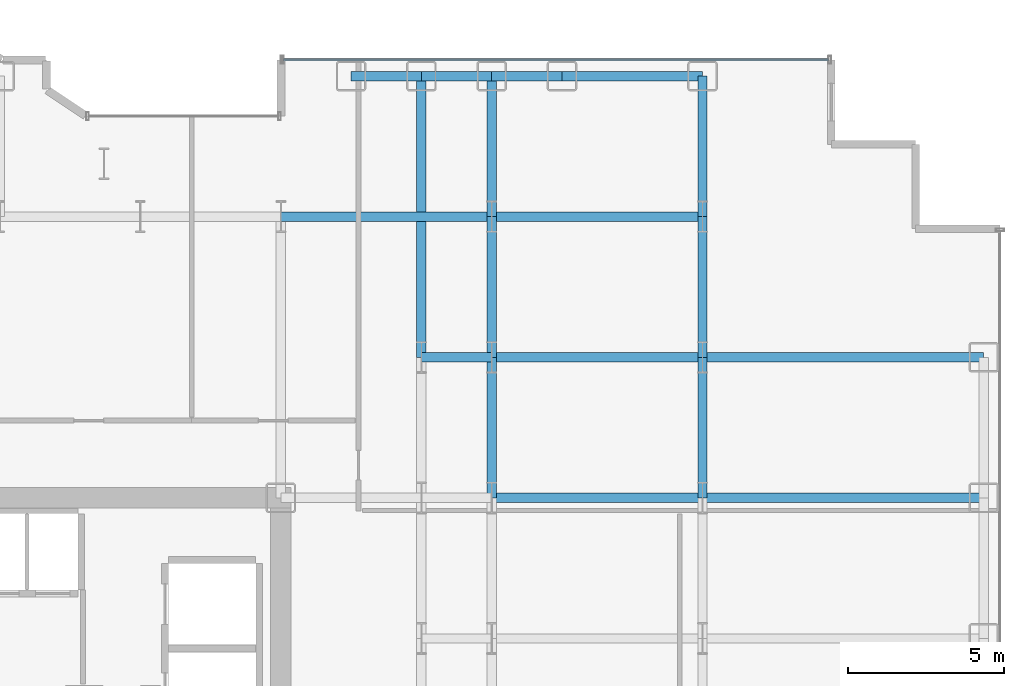
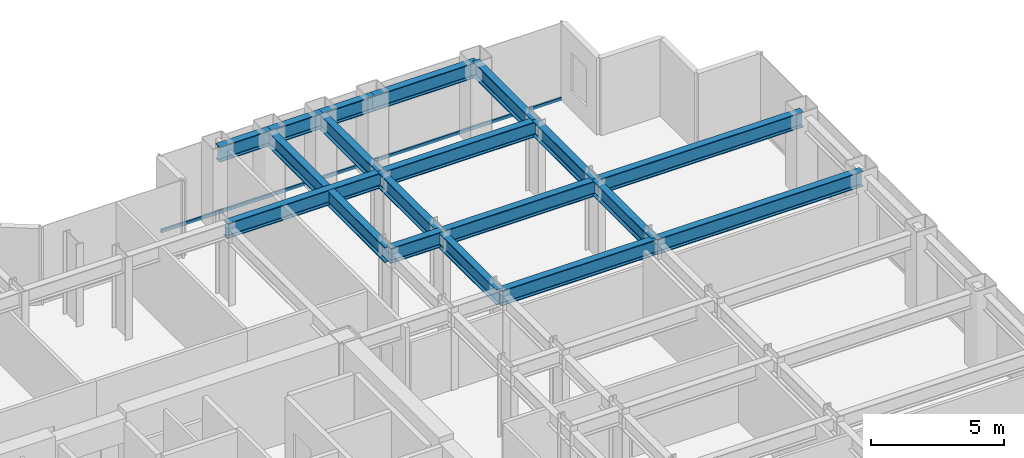
# One storey, part 13 of 25: 18 beams, 1 member, 1 element without a shape of its own.
"""IFC4 building model written with IfcOpenShell, lengths in metres."""

from ifc_helpers import new_model, si_unit, direction, frame, origin, origin_2d, place, context, subcontext, project, spatial, hollow_rectangle, i_section, extrude, source, transform, mapped, material, layer, layer_set, material_profile, profile_set, type_object, element, aggregate, save


model = new_model("IFC4")

# Units and contexts
model_context = context("Model", 3, precision=1e-05, world=origin(), true_north=direction((0.0, 1.0)))
body_context = subcontext(model_context, "Body", "Model", "MODEL_VIEW")
ifc_project = project(units=[si_unit("LENGTHUNIT", "METRE"), si_unit("AREAUNIT", "SQUARE_METRE"), si_unit("VOLUMEUNIT", "CUBIC_METRE"), si_unit("PLANEANGLEUNIT", "RADIAN"), si_unit("MASSUNIT", "GRAM", prefix="KILO")], contexts=[model_context])

# Site, building, storey
site_placement = place(None, origin())
site = spatial("IfcSite", under=ifc_project, at=site_placement, CompositionType="ELEMENT")
building_placement = place(site_placement, origin())
building = spatial("IfcBuilding", under=site, at=building_placement, Name="Nefas-Gora Pilgrimage Tower", CompositionType="ELEMENT")
storey_placement = place(building_placement, frame((0.0, 0.0, 71.0)))
storey = spatial("IfcBuildingStorey", under=building, at=storey_placement, Name="L16", CompositionType="ELEMENT", Elevation=71.0)

# Beams
ifc_material_1 = material(Name="Steel S355", Category="steel")
ifc_material_profile_1 = material_profile(ifc_material_1, i_section(OverallWidth=0.300048828125, OverallDepth=0.699951171875, WebThickness=0.01708984375, FlangeThickness=0.031982421875, FilletRadius=0.027099609375, at=origin_2d()), Name="HEB 700")
ifc_profile_set_1 = profile_set([ifc_material_profile_1], Name="Steel S355")
beam_type_1 = type_object("IfcBeamType", Name="BM-SPN-HEB600", PredefinedType="SPANDREL", material=ifc_profile_set_1)
shared_shape_1 = source(origin(), body_context, "Body", "SweptSolid", [
    extrude(i_section(OverallWidth=0.300048828125, OverallDepth=0.699951171875, WebThickness=0.01708984375, FlangeThickness=0.031982421875, FilletRadius=0.027099609375, at=origin_2d()), origin(), (0.0, 0.0, 1.0), 4.5),
])
beam_1_placement = place(storey_placement, frame((20.25, 22.5, 3.199951171875), z_axis=(1.0, 0.0, 0.0), x_axis=(0.0, 1.0, 0.0)))
element("IfcBeam", 1, at=beam_1_placement, inside=storey, type_object=beam_type_1, Name="L16 SP-01 beam", PredefinedType="SPANDREL", context=body_context, shape_type="MappedRepresentation", body=[
    mapped(shared_shape_1, transform((0.0, 0.0, 0.0), x_axis=(1.0, 0.0, 0.0), y_axis=(0.0, 1.0, 0.0), z_axis=(0.0, 0.0, 1.0), scale=1.0)),
])
ifc_material_profile_2 = material_profile(ifc_material_1, i_section(OverallWidth=0.300048828125, OverallDepth=0.699951171875, WebThickness=0.01708984375, FlangeThickness=0.031982421875, FilletRadius=0.027099609375, at=origin_2d()), Name="HEB 700")
ifc_profile_set_2 = profile_set([ifc_material_profile_2], Name="Steel S355")
beam_type_2 = type_object("IfcBeamType", Name="BM-GIR-HEB700", PredefinedType="BEAM", material=ifc_profile_set_2)
shared_shape_2 = source(origin(), body_context, "Body", "SweptSolid", [
    extrude(i_section(OverallWidth=0.300048828125, OverallDepth=0.699951171875, WebThickness=0.01708984375, FlangeThickness=0.031982421875, FilletRadius=0.027099609375, at=origin_2d()), origin(), (0.0, 0.0, 1.0), 9.0),
])
for number, where, z_axis, x_axis, name in (
    (2, (15.75, 13.5, 3.199951171875), (0.0, 1.0, 0.0), (-1.0, 0.0, 0.0), "L16 G-02 beam"),
    (3, (24.75, 9.0, 3.199951171875), (1.0, 0.0, 0.0), (0.0, 1.0, 0.0), "L16 G-02 beam"),
    (4, (24.75, 13.5, 3.199951171875), (1.0, 0.0, 0.0), (0.0, 1.0, 0.0), "L16 G-02 beam"),
):
    element("IfcBeam", number, at=place(storey_placement, frame(where, z_axis=z_axis, x_axis=x_axis)), inside=storey, type_object=beam_type_2, Name=name, PredefinedType="BEAM", context=body_context, shape_type="MappedRepresentation", body=[
        mapped(shared_shape_2, transform((0.0, 0.0, 0.0), x_axis=(1.0, 0.0, 0.0), y_axis=(0.0, 1.0, 0.0), z_axis=(0.0, 0.0, 1.0), scale=1.0)),
    ])
shared_shape_3 = source(origin(), body_context, "Body", "SweptSolid", [
    extrude(i_section(OverallWidth=0.300048828125, OverallDepth=0.699951171875, WebThickness=0.01708984375, FlangeThickness=0.031982421875, FilletRadius=0.027099609375, at=origin_2d()), origin(), (0.0, 0.0, 1.0), 4.5),
])
for number, where, z_axis, x_axis, name in (
    (5, (18.0, 9.0, 3.199951171875), (0.0, 1.0, 0.0), (-1.0, 0.0, 0.0), "L16 G-02 beam"),
    (6, (18.0, 13.5, 3.199951171875), (0.0, 1.0, 0.0), (-1.0, 0.0, 0.0), "L16 G-02 beam"),
    (7, (18.0, 18.0, 3.199951171875), (0.0, 1.0, 0.0), (-1.0, 0.0, 0.0), "L16 G-02 beam"),
    (8, (24.75, 9.0, 3.199951171875), (0.0, 1.0, 0.0), (-1.0, 0.0, 0.0), "L16 G-02 beam"),
    (9, (24.75, 13.5, 3.199951171875), (0.0, 1.0, 0.0), (-1.0, 0.0, 0.0), "L16 G-02 beam"),
    (10, (24.75, 18.0, 3.199951171875), (0.0, 1.0, 0.0), (-1.0, 0.0, 0.0), "L16 G-02 beam"),
):
    element("IfcBeam", number, at=place(storey_placement, frame(where, z_axis=z_axis, x_axis=x_axis)), inside=storey, type_object=beam_type_2, Name=name, PredefinedType="BEAM", context=body_context, shape_type="MappedRepresentation", body=[
        mapped(shared_shape_3, transform((0.0, 0.0, 0.0), x_axis=(1.0, 0.0, 0.0), y_axis=(0.0, 1.0, 0.0), z_axis=(0.0, 0.0, 1.0), scale=1.0)),
    ])
shared_shape_4 = source(origin(), body_context, "Body", "SweptSolid", [
    extrude(i_section(OverallWidth=0.300048828125, OverallDepth=0.699951171875, WebThickness=0.01708984375, FlangeThickness=0.031982421875, FilletRadius=0.027099609375, at=origin_2d()), origin(), (0.0, 0.0, 1.0), 6.75),
])
for number, where, z_axis, x_axis, name in (
    (11, (11.25, 18.0, 3.199951171875), (1.0, 0.0, 0.0), (0.0, 1.0, 0.0), "L16 G-02 beam"),
    (12, (18.0, 9.0, 3.199951171875), (1.0, 0.0, 0.0), (0.0, 1.0, 0.0), "L16 G-02 beam"),
    (13, (18.0, 13.5, 3.199951171875), (1.0, 0.0, 0.0), (0.0, 1.0, 0.0), "L16 G-02 beam"),
    (14, (18.0, 18.0, 3.199951171875), (1.0, 0.0, 0.0), (0.0, 1.0, 0.0), "L16 G-02 beam"),
):
    element("IfcBeam", number, at=place(storey_placement, frame(where, z_axis=z_axis, x_axis=x_axis)), inside=storey, type_object=beam_type_2, Name=name, PredefinedType="BEAM", context=body_context, shape_type="MappedRepresentation", body=[
        mapped(shared_shape_4, transform((0.0, 0.0, 0.0), x_axis=(1.0, 0.0, 0.0), y_axis=(0.0, 1.0, 0.0), z_axis=(0.0, 0.0, 1.0), scale=1.0)),
    ])
shared_shape_5 = source(origin(), body_context, "Body", "SweptSolid", [
    extrude(i_section(OverallWidth=0.300048828125, OverallDepth=0.699951171875, WebThickness=0.01708984375, FlangeThickness=0.031982421875, FilletRadius=0.027099609375, at=origin_2d()), origin(), (0.0, 0.0, 1.0), 2.25),
])
for number, where, z_axis, x_axis, name in (
    (15, (13.5, 22.5, 3.199951171875), (1.0, 0.0, 0.0), (0.0, 1.0, 0.0), "L16 SP-01 beam"),
    (16, (15.75, 22.5, 3.199951171875), (1.0, 0.0, 0.0), (0.0, 1.0, 0.0), "L16 SP-01 beam"),
    (17, (18.0, 22.5, 3.199951171875), (1.0, 0.0, 0.0), (0.0, 1.0, 0.0), "L16 SP-01 beam"),
):
    element("IfcBeam", number, at=place(storey_placement, frame(where, z_axis=z_axis, x_axis=x_axis)), inside=storey, type_object=beam_type_1, Name=name, PredefinedType="SPANDREL", context=body_context, shape_type="MappedRepresentation", body=[
        mapped(shared_shape_5, transform((0.0, 0.0, 0.0), x_axis=(1.0, 0.0, 0.0), y_axis=(0.0, 1.0, 0.0), z_axis=(0.0, 0.0, 1.0), scale=1.0)),
    ])
shared_shape_6 = source(origin(), body_context, "Body", "SweptSolid", [
    extrude(i_section(OverallWidth=0.300048828125, OverallDepth=0.699951171875, WebThickness=0.01708984375, FlangeThickness=0.031982421875, FilletRadius=0.027099609375, at=origin_2d()), origin(), (0.0, 0.0, 1.0), 2.25),
])
beam_2_placement = place(storey_placement, frame((15.75, 13.5, 3.199951171875), z_axis=(1.0, 0.0, 0.0), x_axis=(0.0, 1.0, 0.0)))
element("IfcBeam", 18, at=beam_2_placement, inside=storey, type_object=beam_type_2, Name="L16 G-02 beam", PredefinedType="BEAM", context=body_context, shape_type="MappedRepresentation", body=[
    mapped(shared_shape_6, transform((0.0, 0.0, 0.0), x_axis=(1.0, 0.0, 0.0), y_axis=(0.0, 1.0, 0.0), z_axis=(0.0, 0.0, 1.0), scale=1.0)),
])

# Curtain wall, member
ifc_material_2 = material(Name="Dark ceramic-fritted solar-control aluminium-glass curtain wall", Category="aluminium")
ifc_layer = layer(ifc_material_2, 0.219970703125)
ifc_layer_set = layer_set([ifc_layer], Name="Dark ceramic-fritted solar-control aluminium-glass curtain wall")
curtain_wall_type = type_object("IfcCurtainWallType", Name="CW-SYS-2", PredefinedType="NOTDEFINED", material=ifc_layer_set)
curtain_wall_placement = place(storey_placement, origin())
curtain_wall = element("IfcCurtainWall", 19, at=curtain_wall_placement, inside=storey, type_object=curtain_wall_type, Name="L16 Unitised Curtain Wall CW2", PredefinedType="NOTDEFINED")
ifc_material_3 = material(Name="Anodised architectural aluminium", Category="aluminium")
ifc_material_profile_3 = material_profile(ifc_material_3, hollow_rectangle(XDim=0.080078125, YDim=0.159912109375, WallThickness=0.00439453125, InnerFilletRadius=0.00439453125, OuterFilletRadius=0.009033203125, at=origin_2d()), Name="ALU TRANSOM 80x160")
ifc_profile_set_3 = profile_set([ifc_material_profile_3], Name="Anodised architectural aluminium")
member_type = type_object("IfcMemberType", Name="CWM-TRN-2", PredefinedType="USERDEFINED", material=ifc_profile_set_3)
shared_shape_7 = source(origin(), body_context, "Body", "SweptSolid", [
    extrude(hollow_rectangle(XDim=0.080078125, YDim=0.159912109375, WallThickness=0.00439453125, InnerFilletRadius=0.00439453125, OuterFilletRadius=0.009033203125, at=origin_2d()), origin(), (0.0, 0.0, 1.0), 17.43994140625),
])
member_placement = place(storey_placement, frame((28.780029296875, 23.02001953125, 0.050048828125), z_axis=(-1.0, 0.0, 0.0), x_axis=(0.0, -1.0, 0.0)))
member = element("IfcMember", 20, at=member_placement, type_object=member_type, Name="CW2 Spandrel Transom", ObjectType="TRANSOM", PredefinedType="USERDEFINED", context=body_context, shape_type="MappedRepresentation", body=[
    mapped(shared_shape_7, transform((0.0, 0.0, 0.0), x_axis=(1.0, 0.0, 0.0), y_axis=(0.0, 1.0, 0.0), z_axis=(0.0, 0.0, 1.0), scale=1.0)),
])
aggregate(curtain_wall, [member])

save(model, "model.ifc")
